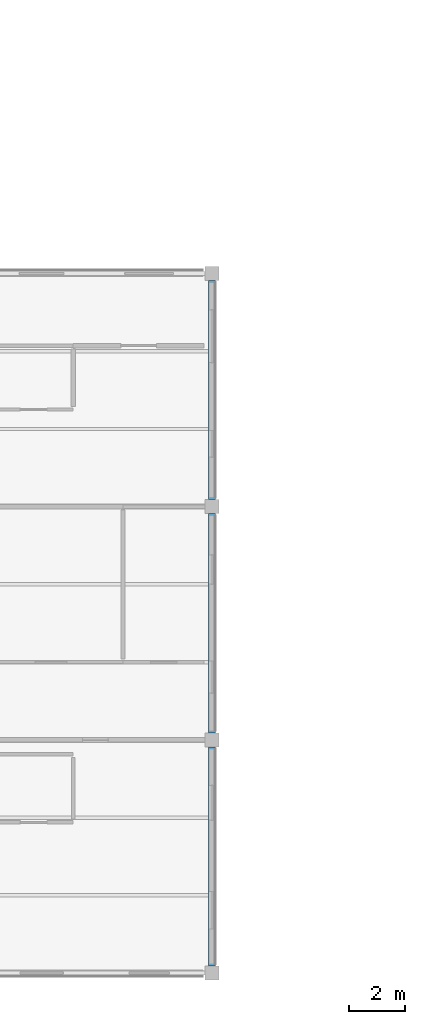
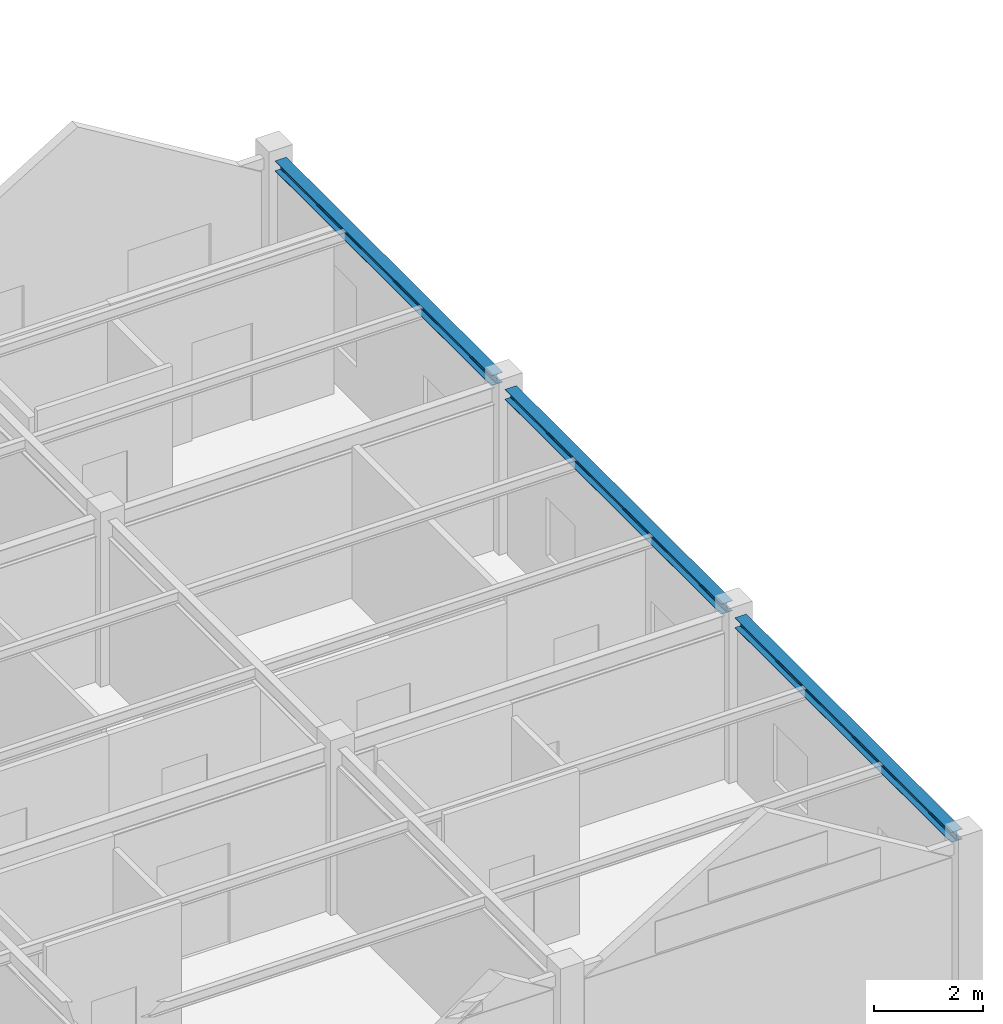
# One storey, part 9 of 45: 3 beams.
"""IFC4 building model written with IfcOpenShell, lengths in metres."""

from ifc_helpers import new_model, si_unit, direction, frame, origin, origin_2d, place, context, subcontext, project, spatial, i_section, extrude, material, material_profile, profile_set, type_object, element, save


model = new_model("IFC4")

# Units and contexts
model_context = context("Model", 3, precision=1e-05, world=origin(), true_north=direction((0.0, 1.0)))
body_context = subcontext(model_context, "Body", "Model", "MODEL_VIEW")
ifc_project = project(units=[si_unit("LENGTHUNIT", "METRE"), si_unit("AREAUNIT", "SQUARE_METRE"), si_unit("VOLUMEUNIT", "CUBIC_METRE"), si_unit("PLANEANGLEUNIT", "RADIAN"), si_unit("MASSUNIT", "GRAM", prefix="KILO")], contexts=[model_context])

# Site, building, storey
site_placement = place(None, origin())
site = spatial("IfcSite", under=ifc_project, at=site_placement, CompositionType="ELEMENT")
building_placement = place(site_placement, origin())
building = spatial("IfcBuilding", under=site, at=building_placement, Name="Bramfleet General Hospital", CompositionType="ELEMENT")
storey_placement = place(building_placement, frame((0.0, 0.0, 30.300048828125)))
storey = spatial("IfcBuildingStorey", under=building, at=storey_placement, Name="L07", CompositionType="ELEMENT", Elevation=30.300048828125)

# Beams
ifc_material = material(Name="Steel S355", Category="steel")
ifc_material_profile = material_profile(ifc_material, i_section(OverallWidth=0.239990234375, OverallDepth=0.22998046875, WebThickness=0.007568359375, FlangeThickness=0.011962890625, FilletRadius=0.02099609375, at=origin_2d()), Name="HEA 240")
ifc_profile_set = profile_set([ifc_material_profile], Name="Steel S355")
beam_type = type_object("IfcBeamType", Name="BM-HEA240", PredefinedType="SPANDREL", material=ifc_profile_set)
beam_1_placement = place(storey_placement, frame((134.39990234375, 0.25, 3.544921875), z_axis=(0.0, 1.0, 0.0), x_axis=(-1.0, 0.0, 0.0)))
element("IfcBeam", 1, at=beam_1_placement, inside=storey, type_object=beam_type, Name="L07 Grid Beam Y 16-00", PredefinedType="SPANDREL", context=body_context, shape_type="SweptSolid", body=[
    extrude(i_section(OverallWidth=0.239990234375, OverallDepth=0.22998046875, WebThickness=0.007568359375, FlangeThickness=0.011962890625, FilletRadius=0.02099609375, at=origin_2d()), origin(), (0.0, 0.0, 1.0), 7.89990234375),
])
beam_2_placement = place(storey_placement, frame((134.39990234375, 8.64990234375, 3.544921875), z_axis=(0.0, 1.0, 0.0), x_axis=(-1.0, 0.0, 0.0)))
element("IfcBeam", 2, at=beam_2_placement, inside=storey, type_object=beam_type, Name="L07 Grid Beam Y 16-01", PredefinedType="SPANDREL", context=body_context, shape_type="SweptSolid", body=[
    extrude(i_section(OverallWidth=0.239990234375, OverallDepth=0.22998046875, WebThickness=0.007568359375, FlangeThickness=0.011962890625, FilletRadius=0.02099609375, at=origin_2d()), origin(), (0.0, 0.0, 1.0), 7.900146484375),
])
beam_3_placement = place(storey_placement, frame((134.39990234375, 17.050048828125, 3.544921875), z_axis=(0.0, 1.0, 0.0), x_axis=(-1.0, 0.0, 0.0)))
element("IfcBeam", 3, at=beam_3_placement, inside=storey, type_object=beam_type, Name="L07 Grid Beam Y 16-02", PredefinedType="SPANDREL", context=body_context, shape_type="SweptSolid", body=[
    extrude(i_section(OverallWidth=0.239990234375, OverallDepth=0.22998046875, WebThickness=0.007568359375, FlangeThickness=0.011962890625, FilletRadius=0.02099609375, at=origin_2d()), origin(), (0.0, 0.0, 1.0), 7.89990234375),
])

save(model, "model.ifc")
